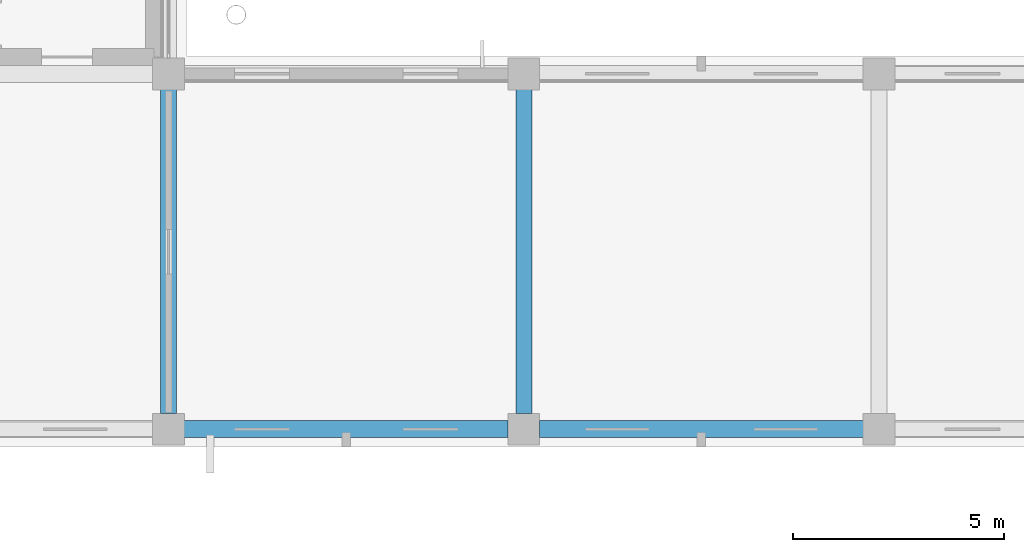
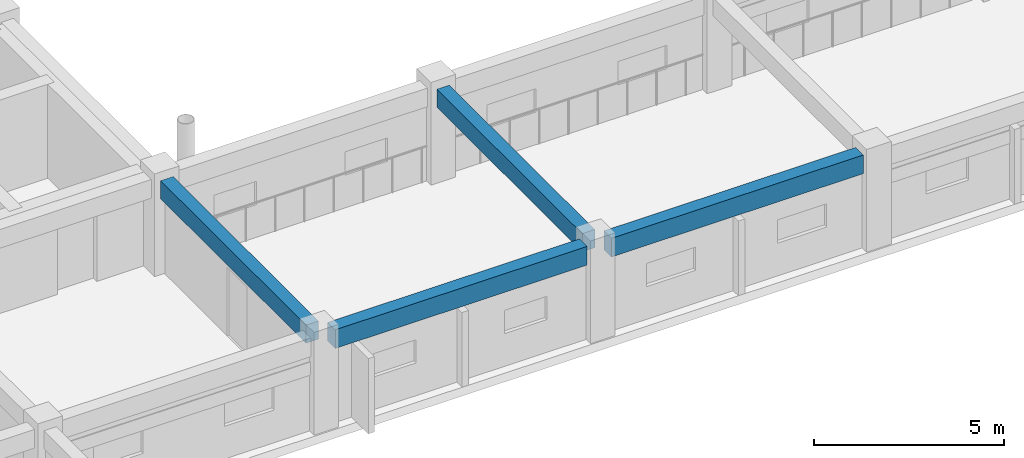
# One storey, part 126 of 200: 4 beams.
"""IFC4 building model written with IfcOpenShell, lengths in metres."""

from ifc_helpers import new_model, si_unit, direction, frame, origin, origin_2d, place, context, subcontext, project, spatial, rectangle, extrude, material, material_profile, profile_set, type_object, element, save


model = new_model("IFC4")

# Units and contexts
model_context = context("Model", 3, precision=1e-05, world=origin(), true_north=direction((0.0, 1.0)))
body_context = subcontext(model_context, "Body", "Model", "MODEL_VIEW")
ifc_project = project(units=[si_unit("LENGTHUNIT", "METRE"), si_unit("AREAUNIT", "SQUARE_METRE"), si_unit("VOLUMEUNIT", "CUBIC_METRE"), si_unit("PLANEANGLEUNIT", "RADIAN"), si_unit("MASSUNIT", "GRAM", prefix="KILO")], contexts=[model_context])

# Site, building, storey
site_placement = place(None, origin())
site = spatial("IfcSite", under=ifc_project, at=site_placement, CompositionType="ELEMENT")
building_placement = place(site_placement, origin())
building = spatial("IfcBuilding", under=site, at=building_placement, Name="Trelvath General Hospital", CompositionType="ELEMENT")
storey_placement = place(building_placement, frame((0.0, 0.0, 4.800048828125)))
storey = spatial("IfcBuildingStorey", under=building, at=storey_placement, Name="L01", CompositionType="ELEMENT", Elevation=4.800048828125)

# Beams
ifc_material_1 = material(Name="Concrete C35/45", Category="concrete")
ifc_material_profile_1 = material_profile(ifc_material_1, rectangle(XDim=0.3798828125, YDim=0.580078125, at=origin_2d()), Name="RCB380x580")
ifc_profile_set_1 = profile_set([ifc_material_profile_1], Name="Concrete C35/45")
beam_type_1 = type_object("IfcBeamType", Name="Beam RC380x580", PredefinedType="BEAM", material=ifc_profile_set_1)
for number, where, z_axis, x_axis, name in (
    (1, (142.800048828125, 17.169921875, 2.72998046875), (0.0, 1.0, 0.0), (-1.0, 0.0, 0.0), "Grid Beam BY-117C"),
    (2, (151.199951171875, 17.169921875, 2.72998046875), (0.0, 1.0, 0.0), (-1.0, 0.0, 0.0), "Grid Beam BY-118C"),
):
    element("IfcBeam", number, at=place(storey_placement, frame(where, z_axis=z_axis, x_axis=x_axis)), inside=storey, type_object=beam_type_1, Name=name, PredefinedType="BEAM", context=body_context, shape_type="SweptSolid", body=[
        extrude(rectangle(XDim=0.3798828125, YDim=0.580078125, at=origin_2d()), origin(), (0.0, 0.0, 1.0), 7.66015625),
    ])
ifc_material_2 = material(Name="Concrete C35/45", Category="concrete")
ifc_material_profile_2 = material_profile(ifc_material_2, rectangle(XDim=0.39990234375, YDim=0.60009765625, at=origin_2d()), Name="RCB400x600")
ifc_profile_set_2 = profile_set([ifc_material_profile_2], Name="Concrete C35/45")
beam_type_2 = type_object("IfcBeamType", Name="Beam RC400x600", PredefinedType="BEAM", material=ifc_profile_set_2)
beam_1_placement = place(storey_placement, frame((143.169921875, 16.800048828125, 2.719970703125), z_axis=(1.0, 0.0, 0.0), x_axis=(0.0, 1.0, 0.0)))
element("IfcBeam", 3, at=beam_1_placement, inside=storey, type_object=beam_type_2, Name="Grid Beam BX-117C", PredefinedType="BEAM", context=body_context, shape_type="SweptSolid", body=[
    extrude(rectangle(XDim=0.39990234375, YDim=0.60009765625, at=origin_2d()), origin(), (0.0, 0.0, 1.0), 7.66015625),
])
beam_2_placement = place(storey_placement, frame((151.570068359375, 16.800048828125, 2.719970703125), z_axis=(1.0, 0.0, 0.0), x_axis=(0.0, 1.0, 0.0)))
element("IfcBeam", 4, at=beam_2_placement, inside=storey, type_object=beam_type_2, Name="Grid Beam BX-118C", PredefinedType="BEAM", context=body_context, shape_type="SweptSolid", body=[
    extrude(rectangle(XDim=0.39990234375, YDim=0.60009765625, at=origin_2d()), origin(), (0.0, 0.0, 1.0), 7.659912109375),
])

save(model, "model.ifc")
